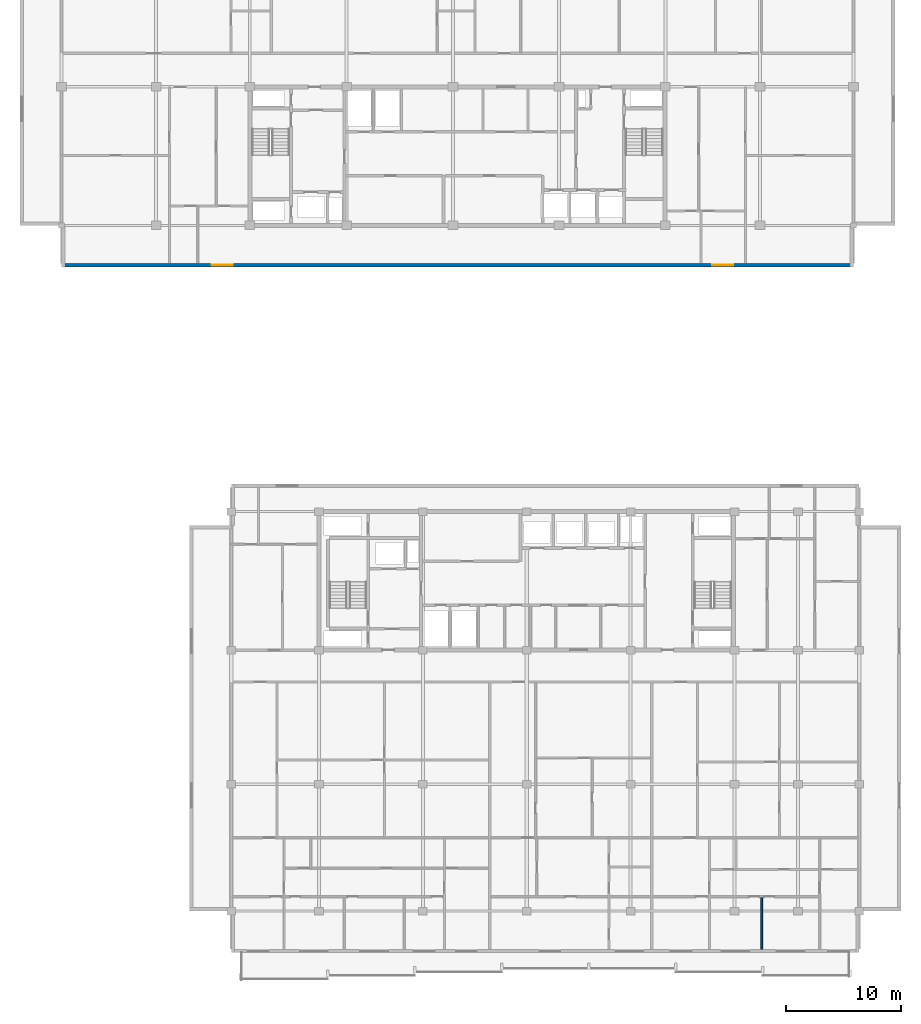
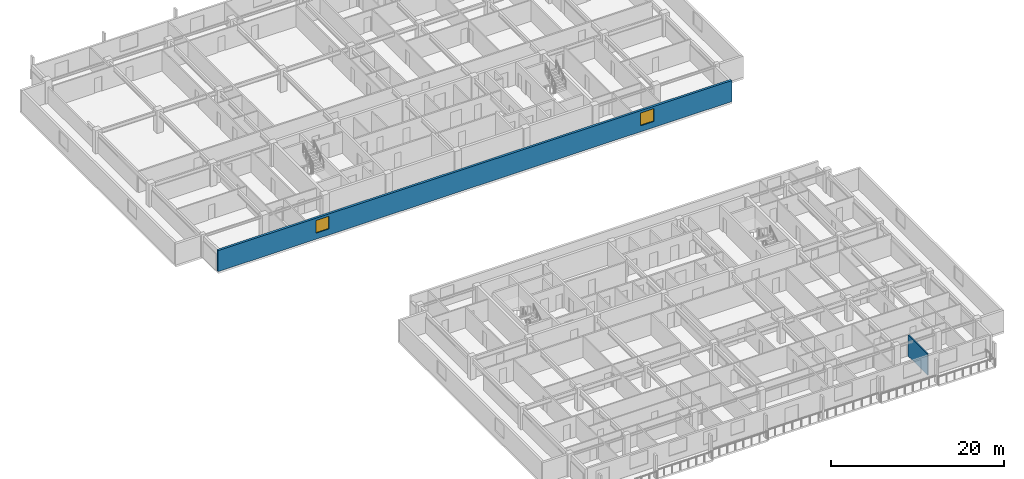
# One storey, part 9 of 22: 2 walls, 2 windows, 2 openings.
"""IFC4 building model written with IfcOpenShell, lengths in metres."""

from ifc_helpers import new_model, si_unit, direction, frame, frame_2d, origin, place, context, subcontext, project, spatial, rectangle, extrude, material, layer, layer_set, type_object, element, fill, save


model = new_model("IFC4")

# Units and contexts
model_context = context("Model", 3, precision=1e-05, world=origin(), true_north=direction((0.0, 1.0)))
body_context = subcontext(model_context, "Body", "Model", "MODEL_VIEW")
ifc_project = project(units=[si_unit("LENGTHUNIT", "METRE"), si_unit("AREAUNIT", "SQUARE_METRE"), si_unit("VOLUMEUNIT", "CUBIC_METRE"), si_unit("PLANEANGLEUNIT", "RADIAN"), si_unit("MASSUNIT", "GRAM", prefix="KILO")], contexts=[model_context])

# Site, building, storey
site_placement = place(None, origin())
site = spatial("IfcSite", under=ifc_project, at=site_placement, CompositionType="ELEMENT")
building_placement = place(site_placement, origin())
building = spatial("IfcBuilding", under=site, at=building_placement, Name="Korimba Cascade Residences", CompositionType="ELEMENT")
storey_placement = place(building_placement, frame((0.0, 0.0, 197.85009765625)))
storey = spatial("IfcBuildingStorey", under=building, at=storey_placement, Name="L57", CompositionType="ELEMENT", Elevation=197.85009765625)

# Wall, openings, windows
ifc_material_1 = material(Name="Precast concrete C40/50", Category="concrete")
ifc_layer_1 = layer(ifc_material_1, 0.300048828125)
ifc_layer_set_1 = layer_set([ifc_layer_1], Name="Precast concrete C40/50")
wall_type_1 = type_object("IfcWallType", Name="EW-STONE-300", PredefinedType="STANDARD", material=ifc_layer_set_1)
wall_1_placement = place(storey_placement, frame((59.800048828125, 51.75, 0.0), z_axis=(0.0, 0.0, 1.0), x_axis=(1.0, 0.0, 0.0)))
wall_1 = element("IfcWall", 1, at=wall_1_placement, inside=storey, type_object=wall_type_1, Name="L57 T1 Perimeter Stone Wall E00", PredefinedType="STANDARD", context=body_context, shape_type="SweptSolid", body=[
    extrude(rectangle(XDim=68.599853515625, YDim=0.300048828125, at=frame_2d((34.2998046875, 0.0))), origin(), (0.0, 0.0, 1.0), 2.969970703125),
])
opening_1_placement = place(wall_1_placement, frame((13.02490234375, 0.0, 0.85009765625)))
opening_1 = element("IfcOpeningElement", 2, at=opening_1_placement, cuts=wall_1, Name="Opening W-02", PredefinedType="OPENING", context=body_context, shape_type="SweptSolid", body=[
    extrude(rectangle(XDim=1.800048828125, YDim=1.800048828125, at=frame_2d((0.89990234375, 0.89990234375))), frame((0.0, 0.16015625, 0.0), z_axis=(0.0, -1.0, 0.0), x_axis=(1.0, 0.0, 0.0)), (0.0, 0.0, 1.0), 0.320068359375),
])
opening_2_placement = place(wall_1_placement, frame((56.375, 0.0, 0.85009765625)))
opening_2 = element("IfcOpeningElement", 3, at=opening_2_placement, cuts=wall_1, Name="Opening W-02", PredefinedType="OPENING", context=body_context, shape_type="SweptSolid", body=[
    extrude(rectangle(XDim=1.800048828125, YDim=1.800048828125, at=frame_2d((0.89990234375, 0.89990234375))), frame((0.0, 0.16015625, 0.0), z_axis=(0.0, -1.0, 0.0), x_axis=(1.0, 0.0, 0.0)), (0.0, 0.0, 1.0), 0.320068359375),
])
ifc_material_2 = material(Name="Double-Glazed Aluminium Window", Category="aluminium")
window_type = type_object("IfcWindowType", Name="WIN-BED-1800", PartitioningType="SINGLE_PANEL", PredefinedType="WINDOW", material=ifc_material_2)
window_1_placement = place(opening_1_placement, origin())
window_1 = element("IfcWindow", 4, at=window_1_placement, inside=storey, type_object=window_type, Name="L57 T1 South Corner Bedroom Window 1", OverallHeight=1.800048828125, OverallWidth=1.800048828125, PartitioningType="SINGLE_PANEL", PredefinedType="WINDOW", context=body_context, shape_type="SweptSolid", body=[
    extrude(rectangle(XDim=1.800048828125, YDim=1.800048828125, at=frame_2d((0.89990234375, 0.89990234375))), frame((0.0, 0.030029296875, 0.0), z_axis=(0.0, -1.0, 0.0), x_axis=(1.0, 0.0, 0.0)), (0.0, 0.0, 1.0), 0.06005859375),
])
fill(opening_1, window_1)
window_2_placement = place(opening_2_placement, origin())
window_2 = element("IfcWindow", 5, at=window_2_placement, inside=storey, type_object=window_type, Name="L57 T1 South Corner Bedroom Window 2", OverallHeight=1.800048828125, OverallWidth=1.800048828125, PartitioningType="SINGLE_PANEL", PredefinedType="WINDOW", context=body_context, shape_type="SweptSolid", body=[
    extrude(rectangle(XDim=1.800048828125, YDim=1.800048828125, at=frame_2d((0.89990234375, 0.89990234375))), frame((0.0, 0.030029296875, 0.0), z_axis=(0.0, -1.0, 0.0), x_axis=(1.0, 0.0, 0.0)), (0.0, 0.0, 1.0), 0.06005859375),
])
fill(opening_2, window_2)

# Wall
ifc_material_3 = material(Name="Insulated Acoustic Stud Partition", Category="gypsum")
ifc_layer_2 = layer(ifc_material_3, 0.14990234375)
ifc_layer_set_2 = layer_set([ifc_layer_2], Name="Insulated Acoustic Stud Partition")
wall_type_2 = type_object("IfcWallType", Name="WAL-PART-150", PredefinedType="PARTITIONING", material=ifc_layer_set_2)
wall_2_placement = place(storey_placement, frame((120.45068359375, -7.5, 0.0), z_axis=(0.0, 0.0, 1.0), x_axis=(0.0, 1.0, 0.0)))
element("IfcWall", 6, at=wall_2_placement, inside=storey, type_object=wall_type_2, Name="L57 Partition Wall WAL-L57-T2-U03-VSTD", PredefinedType="PARTITIONING", context=body_context, shape_type="SweptSolid", body=[
    extrude(rectangle(XDim=4.469970703125, YDim=0.14990234375, at=frame_2d((2.23486328125, 0.0))), origin(), (0.0, 0.0, 1.0), 2.969970703125),
])

save(model, "model.ifc")
